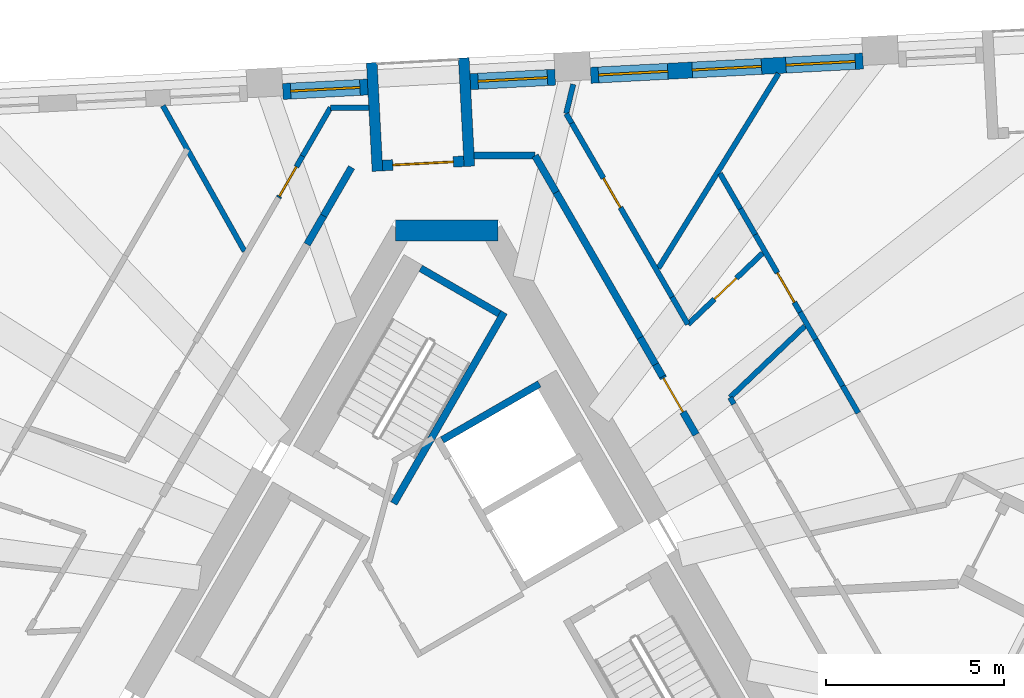
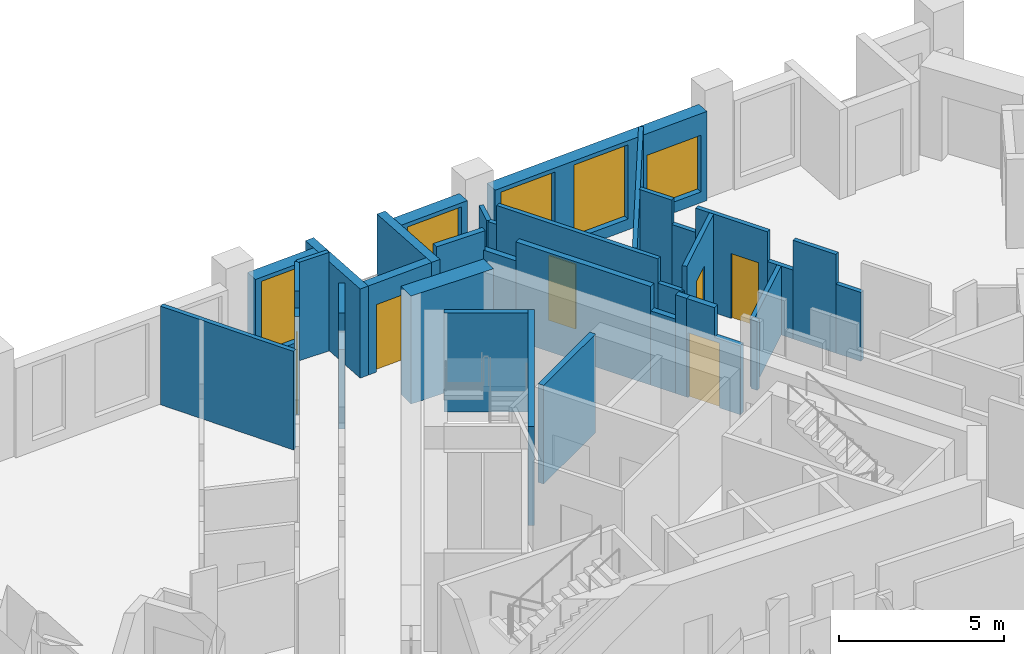
# One storey, part 7 of 12: 36 walls, 6 doors, 5 windows, 11 openings.
"""IFC4 building model written with IfcOpenShell, lengths in metres."""

from ifc_helpers import new_model, si_unit, direction, frame, frame_2d, origin, place, context, subcontext, project, spatial, polyline, rectangle, outline, extrude, material, layer, layer_set, type_object, element, fill, save


model = new_model("IFC4")

# Units and contexts
model_context = context("Model", 3, precision=1e-05, world=origin(), true_north=direction((0.0, 1.0)))
body_context = subcontext(model_context, "Body", "Model", "MODEL_VIEW")
ifc_project = project(units=[si_unit("LENGTHUNIT", "METRE"), si_unit("AREAUNIT", "SQUARE_METRE"), si_unit("VOLUMEUNIT", "CUBIC_METRE"), si_unit("PLANEANGLEUNIT", "RADIAN"), si_unit("MASSUNIT", "GRAM", prefix="KILO")], contexts=[model_context])

# Site, building, storey
site_placement = place(None, origin())
site = spatial("IfcSite", under=ifc_project, at=site_placement, CompositionType="ELEMENT")
building_placement = place(site_placement, origin())
building = spatial("IfcBuilding", under=site, at=building_placement, Name="Tramontana Tower", CompositionType="ELEMENT")
storey_placement = place(building_placement, frame((0.0, 0.0, 298.39990234375)))
storey = spatial("IfcBuildingStorey", under=building, at=storey_placement, Name="L70", CompositionType="ELEMENT", Elevation=298.39990234375)

# Walls
ifc_material_1 = material(Name="Concrete 70 MPa", Category="concrete")
ifc_layer_1 = layer(ifc_material_1, 0.60009765625)
ifc_layer_set_1 = layer_set([ifc_layer_1], Name="Core wall 600 70 MPa")
wall_type_1 = type_object("IfcWallType", Name="Core wall 600 70 MPa", PredefinedType="SHEAR", material=ifc_layer_set_1)
wall_1_placement = place(storey_placement, frame((1.443359375, 10.699951171875, 0.0), z_axis=(0.0, 0.0, 1.0), x_axis=(-1.0, 0.0, 0.0)))
element("IfcWall", 1, at=wall_1_placement, inside=storey, type_object=wall_type_1, Name="Core wall C0 L70", PredefinedType="SHEAR", context=body_context, shape_type="SweptSolid", body=[
    extrude(rectangle(XDim=2.88671875, YDim=0.60009765625, at=frame_2d((1.443359375, 0.0))), origin(), (0.0, 0.0, 1.0), 4.0),
])
ifc_material_2 = material(Name="Blockwork", Category="masonry")
ifc_layer_2 = layer(ifc_material_2, 0.199951171875)
ifc_layer_set_2 = layer_set([ifc_layer_2], Name="ENTRY WALL 200")
wall_type_2 = type_object("IfcWallType", Name="ENTRY WALL 200", PredefinedType="SOLIDWALL", material=ifc_layer_set_2)
wall_2_placement = place(storey_placement, frame((-3.92041015625, 10.309814453125, 0.0), z_axis=(0.0, 0.0, 1.0), x_axis=(0.500102178127, 0.865966403178, 0.0)))
element("IfcWall", 2, at=wall_2_placement, inside=storey, type_object=wall_type_2, Name="Wall v72-ew3-10", PredefinedType="SOLIDWALL", context=body_context, shape_type="SweptSolid", body=[
    extrude(rectangle(XDim=0.927490234375, YDim=0.199951171875, at=frame_2d((0.4638671875, 0.0))), origin(), (0.0, 0.0, 1.0), 2.9501953125),
])
wall_3_placement = place(storey_placement, frame((-3.45654296875, 11.113037109375, 0.0), z_axis=(0.0, 0.0, 1.0), x_axis=(0.500036592568, 0.866004276025, 0.0)))
element("IfcWall", 3, at=wall_3_placement, inside=storey, type_object=wall_type_2, Name="Wall v72-ew3-11", PredefinedType="SOLIDWALL", context=body_context, shape_type="SweptSolid", body=[
    extrude(rectangle(XDim=1.56982421875, YDim=0.199951171875, at=frame_2d((0.784912109375, 0.0))), origin(), (0.0, 0.0, 1.0), 3.650146484375),
])
wall_4_placement = place(storey_placement, frame((0.774658203125, 12.800048828125, 0.0), z_axis=(0.0, 0.0, 1.0), x_axis=(1.0, 0.0, 0.0)))
element("IfcWall", 4, at=wall_4_placement, inside=storey, type_object=wall_type_2, Name="Wall v72-ew4", PredefinedType="SOLIDWALL", context=body_context, shape_type="SweptSolid", body=[
    extrude(rectangle(XDim=1.7080078125, YDim=0.199951171875, at=frame_2d((0.85400390625, 0.0))), origin(), (0.0, 0.0, 1.0), 3.650146484375),
])
wall_5_placement = place(storey_placement, frame((2.482666015625, 12.800048828125, 0.0), z_axis=(0.0, 0.0, 1.0), x_axis=(0.499983247966, -0.86603507536, 0.0)))
element("IfcWall", 5, at=wall_5_placement, inside=storey, type_object=wall_type_2, Name="Wall v72-ew5-0", PredefinedType="SOLIDWALL", context=body_context, shape_type="SweptSolid", body=[
    extrude(rectangle(XDim=1.1884765625, YDim=0.199951171875, at=frame_2d((0.59423828125, 0.0))), origin(), (0.0, 0.0, 1.0), 2.9501953125),
])
wall_6_placement = place(storey_placement, frame((3.076904296875, 11.770751953125, 0.0), z_axis=(0.0, 0.0, 1.0), x_axis=(0.500007683529, -0.866020967652, 0.0)))
element("IfcWall", 6, at=wall_6_placement, inside=storey, type_object=wall_type_2, Name="Wall v72-ew5-1", PredefinedType="SOLIDWALL", context=body_context, shape_type="SweptSolid", body=[
    extrude(rectangle(XDim=4.71728515625, YDim=0.199951171875, at=frame_2d((2.358642578125, 0.0))), origin(), (0.0, 0.0, 1.0), 3.650146484375),
])
wall_7_placement = place(storey_placement, frame((5.435546875, 7.685546875, 0.0), z_axis=(0.0, 0.0, 1.0), x_axis=(0.500056482814, -0.86599279096, 0.0)))
element("IfcWall", 7, at=wall_7_placement, inside=storey, type_object=wall_type_2, Name="Wall v72-ew5-2", PredefinedType="SOLIDWALL", context=body_context, shape_type="SweptSolid", body=[
    extrude(rectangle(XDim=0.86474609375, YDim=0.199951171875, at=frame_2d((0.432373046875, 0.0))), origin(), (0.0, 0.0, 1.0), 2.75),
])
wall_8_placement = place(storey_placement, frame((5.867919921875, 6.936767578125, 0.0), z_axis=(0.0, 0.0, 1.0), x_axis=(0.499526442893, -0.866298639529, 0.0)))
element("IfcWall", 8, at=wall_8_placement, inside=storey, type_object=wall_type_2, Name="Wall v72-ew5-3", PredefinedType="SOLIDWALL", context=body_context, shape_type="SweptSolid", body=[
    extrude(rectangle(XDim=0.3955078125, YDim=0.199951171875, at=frame_2d((0.19775390625, 0.0))), origin(), (0.0, 0.0, 1.0), 3.650146484375),
])

# Wall, opening, door
wall_9_placement = place(storey_placement, frame((6.0654296875, 6.59423828125, 0.0), z_axis=(0.0, 0.0, 1.0), x_axis=(0.499988092049, -0.866032278734, 0.0)))
wall_9 = element("IfcWall", 9, at=wall_9_placement, inside=storey, type_object=wall_type_2, Name="Wall v72-ew5-4", PredefinedType="SOLIDWALL", context=body_context, shape_type="SweptSolid", body=[
    extrude(outline(polyline([(0.0, 0.0), (1.8828125, 0.0), (1.8828125, 2.550048828125), (0.973388671875, 2.550048828125), (0.973388671875, 3.650146484375), (0.0, 3.650146484375), (0.0, 0.0)])), frame((0.0, 0.10009765625, 0.0), z_axis=(0.0, -1.0, 0.0), x_axis=(1.0, 0.0, 0.0)), (0.0, 0.0, 1.0), 0.199951171875),
])
opening_1_placement = place(wall_9_placement, frame((0.050048828125, 0.0, 0.0)))
opening_1 = element("IfcOpeningElement", 10, at=opening_1_placement, cuts=wall_9, Name="Opening B7C-19", PredefinedType="OPENING", context=body_context, shape_type="SweptSolid", body=[
    extrude(rectangle(XDim=1.10009765625, YDim=2.39990234375, at=frame_2d((0.550048828125, 1.199951171875))), frame((0.0, 0.10986328125, 0.0), z_axis=(0.0, -1.0, 0.0), x_axis=(1.0, 0.0, 0.0)), (0.0, 0.0, 1.0), 0.219970703125),
])
ifc_material_3 = material(Name="Painted timber", Category="wood")
door_type_1 = type_object("IfcDoorType", Name="DOOR ENTRY 1100", OperationType="SINGLE_SWING_LEFT", PredefinedType="DOOR", material=ifc_material_3)
door_1_placement = place(opening_1_placement, origin())
door_1 = element("IfcDoor", 11, at=door_1_placement, inside=storey, type_object=door_type_1, Name="Door B7C-19", OperationType="SINGLE_SWING_LEFT", OverallHeight=2.39990234375, OverallWidth=1.10009765625, PredefinedType="DOOR", context=body_context, shape_type="SweptSolid", body=[
    extrude(rectangle(XDim=1.10009765625, YDim=2.39990234375, at=frame_2d((0.550048828125, 1.199951171875))), frame((0.0, 0.02490234375, 0.0), z_axis=(0.0, -1.0, 0.0), x_axis=(1.0, 0.0, 0.0)), (0.0, 0.0, 1.0), 0.050048828125),
])
fill(opening_1, door_1)

# Wall, openings, windows
ifc_material_4 = material(Name="Precast concrete 60 MPa", Category="concrete")
ifc_layer_3 = layer(ifc_material_4, 0.449951171875)
ifc_layer_set_3 = layer_set([ifc_layer_3], Name="Precast concrete 60 MPa, 450 mm")
wall_type_3 = type_object("IfcWallType", Name="EW1 Stone-faced precast wall 450", PredefinedType="SOLIDWALL", material=ifc_layer_set_3)
wall_10_placement = place(storey_placement, frame((11.697265625, 15.45849609375, 0.0), z_axis=(0.0, 0.0, 1.0), x_axis=(-0.998628023429, -0.052364786088, 0.0)))
wall_10 = element("IfcWall", 12, at=wall_10_placement, inside=storey, type_object=wall_type_3, Name="External wall L70 face 2 bay 2", PredefinedType="SOLIDWALL", context=body_context, shape_type="SweptSolid", body=[
    extrude(rectangle(XDim=7.66015625, YDim=0.449951171875, at=frame_2d((3.830078125, 0.0))), origin(), (0.0, 0.0, 1.0), 3.300048828125),
])
opening_2_placement = place(wall_10_placement, frame((0.21826171875, 0.0, 0.39990234375)))
opening_2 = element("IfcOpeningElement", 13, at=opening_2_placement, cuts=wall_10, Name="Opening M3L", PredefinedType="OPENING", context=body_context, shape_type="SweptSolid", body=[
    extrude(rectangle(XDim=1.949951171875, YDim=2.10009765625, at=frame_2d((0.97509765625, 1.050048828125))), frame((0.0, 0.23486328125, 0.0), z_axis=(0.0, -1.0, 0.0), x_axis=(1.0, 0.0, 0.0)), (0.0, 0.0, 1.0), 0.469970703125),
])
opening_3_placement = place(wall_10_placement, frame((2.855224609375, 0.0, 0.39990234375)))
opening_3 = element("IfcOpeningElement", 14, at=opening_3_placement, cuts=wall_10, Name="Opening M3", PredefinedType="OPENING", context=body_context, shape_type="SweptSolid", body=[
    extrude(rectangle(XDim=1.949951171875, YDim=2.75, at=frame_2d((0.97509765625, 1.375))), frame((0.0, 0.23486328125, 0.0), z_axis=(0.0, -1.0, 0.0), x_axis=(1.0, 0.0, 0.0)), (0.0, 0.0, 1.0), 0.469970703125),
])
opening_4_placement = place(wall_10_placement, frame((5.491943359375, 0.0, 0.39990234375)))
opening_4 = element("IfcOpeningElement", 15, at=opening_4_placement, cuts=wall_10, Name="Opening M3", PredefinedType="OPENING", context=body_context, shape_type="SweptSolid", body=[
    extrude(rectangle(XDim=1.949951171875, YDim=2.75, at=frame_2d((0.97509765625, 1.375))), frame((0.0, 0.23486328125, 0.0), z_axis=(0.0, -1.0, 0.0), x_axis=(1.0, 0.0, 0.0)), (0.0, 0.0, 1.0), 0.469970703125),
])
ifc_material_5 = material(Name="Aluminum frame, double glazing unit", Category="aluminium")
window_type_1 = type_object("IfcWindowType", Name="M3 Window 1.95 x 2.75", PartitioningType="SINGLE_PANEL", PredefinedType="WINDOW", material=ifc_material_5)
window_1_placement = place(opening_3_placement, origin())
window_1 = element("IfcWindow", 16, at=window_1_placement, inside=storey, type_object=window_type_1, Name="Window M3 L70 face 2 module 5", OverallHeight=2.75, OverallWidth=1.949951171875, PartitioningType="SINGLE_PANEL", PredefinedType="WINDOW", context=body_context, shape_type="SweptSolid", body=[
    extrude(rectangle(XDim=1.949951171875, YDim=2.75, at=frame_2d((0.97509765625, 1.375))), frame((0.0, 0.030029296875, 0.0), z_axis=(0.0, -1.0, 0.0), x_axis=(1.0, 0.0, 0.0)), (0.0, 0.0, 1.0), 0.06005859375),
])
fill(opening_3, window_1)
window_2_placement = place(opening_4_placement, origin())
window_2 = element("IfcWindow", 17, at=window_2_placement, inside=storey, type_object=window_type_1, Name="Window M3 L70 face 2 module 6", OverallHeight=2.75, OverallWidth=1.949951171875, PartitioningType="SINGLE_PANEL", PredefinedType="WINDOW", context=body_context, shape_type="SweptSolid", body=[
    extrude(rectangle(XDim=1.949951171875, YDim=2.75, at=frame_2d((0.97509765625, 1.375))), frame((0.0, 0.030029296875, 0.0), z_axis=(0.0, -1.0, 0.0), x_axis=(1.0, 0.0, 0.0)), (0.0, 0.0, 1.0), 0.06005859375),
])
fill(opening_4, window_2)
ifc_material_6 = material(Name="Aluminum frame, double glazing unit", Category="aluminium")
window_type_2 = type_object("IfcWindowType", Name="M3L Window 1.95 x 2.1", PartitioningType="SINGLE_PANEL", PredefinedType="WINDOW", material=ifc_material_6)
window_3_placement = place(opening_2_placement, origin())
window_3 = element("IfcWindow", 18, at=window_3_placement, inside=storey, type_object=window_type_2, Name="Window M3L L70 face 2 module 4", OverallHeight=2.10009765625, OverallWidth=1.949951171875, PartitioningType="SINGLE_PANEL", PredefinedType="WINDOW", context=body_context, shape_type="SweptSolid", body=[
    extrude(rectangle(XDim=1.949951171875, YDim=2.10009765625, at=frame_2d((0.97509765625, 1.050048828125))), frame((0.0, 0.030029296875, 0.0), z_axis=(0.0, -1.0, 0.0), x_axis=(1.0, 0.0, 0.0)), (0.0, 0.0, 1.0), 0.06005859375),
])
fill(opening_2, window_3)

# Wall, opening, window
wall_11_placement = place(storey_placement, frame((3.049072265625, 15.005126953125, 0.0), z_axis=(0.0, 0.0, 1.0), x_axis=(-0.998627701279, -0.052370929331, 0.0)))
wall_11 = element("IfcWall", 19, at=wall_11_placement, inside=storey, type_object=wall_type_3, Name="External wall L70 face 2 bay 3", PredefinedType="SOLIDWALL", context=body_context, shape_type="SweptSolid", body=[
    extrude(rectangle(XDim=2.38671875, YDim=0.449951171875, at=frame_2d((1.193359375, 0.0))), origin(), (0.0, 0.0, 1.0), 3.300048828125),
])
opening_5_placement = place(wall_11_placement, frame((0.21826171875, 0.0, 0.39990234375)))
opening_5 = element("IfcOpeningElement", 20, at=opening_5_placement, cuts=wall_11, Name="Opening M3", PredefinedType="OPENING", context=body_context, shape_type="SweptSolid", body=[
    extrude(rectangle(XDim=1.949951171875, YDim=2.75, at=frame_2d((0.97509765625, 1.375))), frame((0.0, 0.23486328125, 0.0), z_axis=(0.0, -1.0, 0.0), x_axis=(1.0, 0.0, 0.0)), (0.0, 0.0, 1.0), 0.469970703125),
])
window_4_placement = place(opening_5_placement, origin())
window_4 = element("IfcWindow", 21, at=window_4_placement, inside=storey, type_object=window_type_1, Name="Window M3 L70 face 2 module 7", OverallHeight=2.75, OverallWidth=1.949951171875, PartitioningType="SINGLE_PANEL", PredefinedType="WINDOW", context=body_context, shape_type="SweptSolid", body=[
    extrude(rectangle(XDim=1.949951171875, YDim=2.75, at=frame_2d((0.97509765625, 1.375))), frame((0.0, 0.030029296875, 0.0), z_axis=(0.0, -1.0, 0.0), x_axis=(1.0, 0.0, 0.0)), (0.0, 0.0, 1.0), 0.06005859375),
])
fill(opening_5, window_4)

wall_12_placement = place(storey_placement, frame((-2.21728515625, 14.729248046875, 0.0), z_axis=(0.0, 0.0, 1.0), x_axis=(-0.998627701279, -0.052370929331, 0.0)))
wall_12 = element("IfcWall", 22, at=wall_12_placement, inside=storey, type_object=wall_type_3, Name="External wall L70 face 2 bay 3", PredefinedType="SOLIDWALL", context=body_context, shape_type="SweptSolid", body=[
    extrude(rectangle(XDim=2.38671875, YDim=0.449951171875, at=frame_2d((1.193359375, 0.0))), origin(), (0.0, 0.0, 1.0), 3.300048828125),
])
opening_6_placement = place(wall_12_placement, frame((0.21826171875, 0.0, 0.39990234375)))
opening_6 = element("IfcOpeningElement", 23, at=opening_6_placement, cuts=wall_12, Name="Opening M3", PredefinedType="OPENING", context=body_context, shape_type="SweptSolid", body=[
    extrude(rectangle(XDim=1.949951171875, YDim=2.75, at=frame_2d((0.97509765625, 1.375))), frame((0.0, 0.23486328125, 0.0), z_axis=(0.0, -1.0, 0.0), x_axis=(1.0, 0.0, 0.0)), (0.0, 0.0, 1.0), 0.469970703125),
])
window_5_placement = place(opening_6_placement, origin())
window_5 = element("IfcWindow", 24, at=window_5_placement, inside=storey, type_object=window_type_1, Name="Window M3 L70 face 2 module 9", OverallHeight=2.75, OverallWidth=1.949951171875, PartitioningType="SINGLE_PANEL", PredefinedType="WINDOW", context=body_context, shape_type="SweptSolid", body=[
    extrude(rectangle(XDim=1.949951171875, YDim=2.75, at=frame_2d((0.97509765625, 1.375))), frame((0.0, 0.030029296875, 0.0), z_axis=(0.0, -1.0, 0.0), x_axis=(1.0, 0.0, 0.0)), (0.0, 0.0, 1.0), 0.06005859375),
])
fill(opening_6, window_5)

# Wall, opening, door
ifc_material_7 = material(Name="Precast concrete 60 MPa", Category="concrete")
ifc_layer_4 = layer(ifc_material_7, 0.300048828125)
ifc_layer_set_4 = layer_set([ifc_layer_4], Name="LW1 Stone-faced loggia wall 300")
wall_type_4 = type_object("IfcWallType", Name="LW1 Stone-faced loggia wall 300", PredefinedType="SOLIDWALL", material=ifc_layer_set_4)
wall_13_placement = place(storey_placement, frame((0.482421875, 12.642578125, 0.0), z_axis=(0.0, 0.0, 1.0), x_axis=(-0.998630775221, -0.052312281362, 0.0)))
wall_13 = element("IfcWall", 25, at=wall_13_placement, inside=storey, type_object=wall_type_4, Name="Loggia wall L70 G7S2.7", PredefinedType="SOLIDWALL", context=body_context, shape_type="SweptSolid", body=[
    extrude(rectangle(XDim=2.286865234375, YDim=0.300048828125, at=frame_2d((1.1435546875, 0.0))), origin(), (0.0, 0.0, 1.0), 3.300048828125),
])
opening_7_placement = place(wall_13_placement, frame((0.29345703125, 0.0, 0.0)))
opening_7 = element("IfcOpeningElement", 26, at=opening_7_placement, cuts=wall_13, Name="Opening BD-7S2-07", PredefinedType="OPENING", context=body_context, shape_type="SweptSolid", body=[
    extrude(rectangle(XDim=1.699951171875, YDim=2.5, at=frame_2d((0.85009765625, 1.25))), frame((0.0, 0.159912109375, 0.0), z_axis=(0.0, -1.0, 0.0), x_axis=(1.0, 0.0, 0.0)), (0.0, 0.0, 1.0), 0.320068359375),
])
ifc_material_8 = material(Name="Aluminum frame, double glazing unit", Category="aluminium")
door_type_2 = type_object("IfcDoorType", Name="BD3 Sliding door 1.7 x 2.5", OperationType="SLIDING_TO_LEFT", PredefinedType="DOOR", material=ifc_material_8)
door_2_placement = place(opening_7_placement, origin())
door_2 = element("IfcDoor", 27, at=door_2_placement, inside=storey, type_object=door_type_2, Name="Loggia door L70 G7S2.7", OperationType="SLIDING_TO_LEFT", OverallHeight=2.5, OverallWidth=1.699951171875, PredefinedType="DOOR", context=body_context, shape_type="SweptSolid", body=[
    extrude(rectangle(XDim=1.699951171875, YDim=2.5, at=frame_2d((0.85009765625, 1.25))), frame((0.0, 0.02490234375, 0.0), z_axis=(0.0, -1.0, 0.0), x_axis=(1.0, 0.0, 0.0)), (0.0, 0.0, 1.0), 0.050048828125),
])
fill(opening_7, door_2)

# Walls
wall_14_placement = place(storey_placement, frame((0.48046875, 15.54638671875, 0.0), z_axis=(0.0, 0.0, 1.0), x_axis=(0.052352956549, -0.998628643661, 0.0)))
element("IfcWall", 28, at=wall_14_placement, inside=storey, type_object=wall_type_4, Name="Loggia return L70 G7S2.7a", PredefinedType="SOLIDWALL", context=body_context, shape_type="SweptSolid", body=[
    extrude(rectangle(XDim=3.0498046875, YDim=0.300048828125, at=frame_2d((1.52490234375, 0.0))), origin(), (0.0, 0.0, 1.0), 3.300048828125),
])
wall_15_placement = place(storey_placement, frame((-2.102783203125, 15.4111328125, 0.0), z_axis=(0.0, 0.0, 1.0), x_axis=(0.052348771756, -0.99862886304, 0.0)))
element("IfcWall", 29, at=wall_15_placement, inside=storey, type_object=wall_type_4, Name="Loggia return L70 G7S2.7b", PredefinedType="SOLIDWALL", context=body_context, shape_type="SweptSolid", body=[
    extrude(rectangle(XDim=3.050048828125, YDim=0.300048828125, at=frame_2d((1.52490234375, 0.0))), origin(), (0.0, 0.0, 1.0), 3.300048828125),
])

# Wall, opening, door
ifc_material_9 = material(Name="Gypsum board partition")
ifc_layer_5 = layer(ifc_material_9, 0.14990234375)
ifc_layer_set_5 = layer_set([ifc_layer_5], Name="PARTITION 150")
wall_type_5 = type_object("IfcWallType", Name="PARTITION 150", PredefinedType="PARTITIONING", material=ifc_layer_set_5)
wall_16_placement = place(storey_placement, frame((-4.7216796875, 11.62158203125, 0.0), z_axis=(0.0, 0.0, 1.0), x_axis=(0.499973075538, 0.866040948072, 0.0)))
wall_16 = element("IfcWall", 30, at=wall_16_placement, inside=storey, type_object=wall_type_5, Name="Wall v72-pw10-5", PredefinedType="PARTITIONING", context=body_context, shape_type="SweptSolid", body=[
    extrude(outline(polyline([(0.0, 0.0), (1.34912109375, 0.0), (1.34912109375, 2.9501953125), (0.45458984375, 2.9501953125), (0.45458984375, 3.650146484375), (0.0, 3.650146484375), (0.0, 0.0)])), frame((0.0, 0.074951171875, 0.0), z_axis=(0.0, -1.0, 0.0), x_axis=(1.0, 0.0, 0.0)), (0.0, 0.0, 1.0), 0.14990234375),
])
opening_8_placement = place(wall_16_placement, frame((0.050048828125, 0.0, 0.0)))
opening_8 = element("IfcOpeningElement", 31, at=opening_8_placement, cuts=wall_16, Name="Opening B7C-04", PredefinedType="OPENING", context=body_context, shape_type="SweptSolid", body=[
    extrude(rectangle(XDim=0.949951171875, YDim=2.39990234375, at=frame_2d((0.47509765625, 1.199951171875))), frame((0.0, 0.0849609375, 0.0), z_axis=(0.0, -1.0, 0.0), x_axis=(1.0, 0.0, 0.0)), (0.0, 0.0, 1.0), 0.169921875),
])
ifc_material_10 = material(Name="Painted timber", Category="wood")
door_type_3 = type_object("IfcDoorType", Name="DOOR ROOM 950", OperationType="SINGLE_SWING_LEFT", PredefinedType="DOOR", material=ifc_material_10)
door_3_placement = place(opening_8_placement, origin())
door_3 = element("IfcDoor", 32, at=door_3_placement, inside=storey, type_object=door_type_3, Name="Door B7C-04", OperationType="SINGLE_SWING_RIGHT", OverallHeight=2.39990234375, OverallWidth=0.949951171875, PredefinedType="DOOR", context=body_context, shape_type="SweptSolid", body=[
    extrude(rectangle(XDim=0.949951171875, YDim=2.39990234375, at=frame_2d((0.47509765625, 1.199951171875))), frame((0.0, 0.02490234375, 0.0), z_axis=(0.0, -1.0, 0.0), x_axis=(1.0, 0.0, 0.0)), (0.0, 0.0, 1.0), 0.050048828125),
])
fill(opening_8, door_3)

# Walls
wall_17_placement = place(storey_placement, frame((-4.047119140625, 12.7900390625, 0.0), z_axis=(0.0, 0.0, 1.0), x_axis=(0.500018540756, 0.866014699009, 0.0)))
element("IfcWall", 33, at=wall_17_placement, inside=storey, type_object=wall_type_5, Name="Wall v72-pw10-6", PredefinedType="PARTITIONING", context=body_context, shape_type="SweptSolid", body=[
    extrude(rectangle(XDim=1.5703125, YDim=0.14990234375, at=frame_2d((0.78515625, 0.0))), origin(), (0.0, 0.0, 1.0), 3.650146484375),
])
wall_18_placement = place(storey_placement, frame((-7.970947265625, 14.2021484375, 0.0), z_axis=(0.0, 0.0, 1.0), x_axis=(0.489407559615, -0.87205518208, 0.0)))
element("IfcWall", 34, at=wall_18_placement, inside=storey, type_object=wall_type_5, Name="Wall v72-pw12", PredefinedType="PARTITIONING", context=body_context, shape_type="SweptSolid", body=[
    extrude(rectangle(XDim=4.685791015625, YDim=0.14990234375, at=frame_2d((2.3427734375, 0.0))), origin(), (0.0, 0.0, 1.0), 3.650146484375),
])
wall_19_placement = place(storey_placement, frame((-3.261962890625, 14.14990234375, 0.0), z_axis=(0.0, 0.0, 1.0), x_axis=(1.0, 0.0, 0.0)))
element("IfcWall", 35, at=wall_19_placement, inside=storey, type_object=wall_type_5, Name="Wall v72-pw13", PredefinedType="PARTITIONING", context=body_context, shape_type="SweptSolid", body=[
    extrude(rectangle(XDim=1.074951171875, YDim=0.14990234375, at=frame_2d((0.53759765625, 0.0))), origin(), (0.0, 0.0, 1.0), 3.650146484375),
])
wall_20_placement = place(storey_placement, frame((3.361083984375, 13.978515625, 0.0), z_axis=(0.0, 0.0, 1.0), x_axis=(0.499768824934, -0.866158831638, 0.0)))
element("IfcWall", 36, at=wall_20_placement, inside=storey, type_object=wall_type_5, Name="Wall v72-pw17-0", PredefinedType="PARTITIONING", context=body_context, shape_type="SweptSolid", body=[
    extrude(rectangle(XDim=0.303955078125, YDim=0.14990234375, at=frame_2d((0.15185546875, 0.0))), origin(), (0.0, 0.0, 1.0), 2.9501953125),
])

# Wall, opening, door
wall_21_placement = place(storey_placement, frame((3.512939453125, 13.71533203125, 0.0), z_axis=(0.0, 0.0, 1.0), x_axis=(0.500019542665, -0.866014120528, 0.0)))
wall_21 = element("IfcWall", 37, at=wall_21_placement, inside=storey, type_object=wall_type_5, Name="Wall v72-pw17-1", PredefinedType="PARTITIONING", context=body_context, shape_type="SweptSolid", body=[
    extrude(rectangle(XDim=5.643310546875, YDim=0.14990234375, at=frame_2d((2.82177734375, 0.0))), origin(), (0.0, 0.0, 1.0), 3.650146484375),
])
opening_9_placement = place(wall_21_placement, frame((1.7880859375, 0.0, 0.0)))
opening_9 = element("IfcOpeningElement", 38, at=opening_9_placement, cuts=wall_21, Name="Opening B7C-16", PredefinedType="OPENING", context=body_context, shape_type="SweptSolid", body=[
    extrude(rectangle(XDim=0.949951171875, YDim=2.39990234375, at=frame_2d((0.47509765625, 1.199951171875))), frame((0.0, 0.0849609375, 0.0), z_axis=(0.0, -1.0, 0.0), x_axis=(1.0, 0.0, 0.0)), (0.0, 0.0, 1.0), 0.169921875),
])
door_4_placement = place(opening_9_placement, origin())
door_4 = element("IfcDoor", 39, at=door_4_placement, inside=storey, type_object=door_type_3, Name="Door B7C-16", OperationType="SINGLE_SWING_RIGHT", OverallHeight=2.39990234375, OverallWidth=0.949951171875, PredefinedType="DOOR", context=body_context, shape_type="SweptSolid", body=[
    extrude(rectangle(XDim=0.949951171875, YDim=2.39990234375, at=frame_2d((0.47509765625, 1.199951171875))), frame((0.0, 0.02490234375, 0.0), z_axis=(0.0, -1.0, 0.0), x_axis=(1.0, 0.0, 0.0)), (0.0, 0.0, 1.0), 0.050048828125),
])
fill(opening_9, door_4)

# Walls
wall_22_placement = place(storey_placement, frame((6.334716796875, 8.828125, 0.0), z_axis=(0.0, 0.0, 1.0), x_axis=(0.500033502416, -0.866006060292, 0.0)))
element("IfcWall", 40, at=wall_22_placement, inside=storey, type_object=wall_type_5, Name="Wall v72-pw17-2", PredefinedType="PARTITIONING", context=body_context, shape_type="SweptSolid", body=[
    extrude(rectangle(XDim=0.88330078125, YDim=0.14990234375, at=frame_2d((0.441650390625, 0.0))), origin(), (0.0, 0.0, 1.0), 2.75),
])
wall_23_placement = place(storey_placement, frame((3.556884765625, 14.806396484375, 0.0), z_axis=(0.0, 0.0, 1.0), x_axis=(-0.233841855751, -0.972274645612, 0.0)))
element("IfcWall", 41, at=wall_23_placement, inside=storey, type_object=wall_type_5, Name="Wall v72-pw18-0", PredefinedType="PARTITIONING", context=body_context, shape_type="SweptSolid", body=[
    extrude(rectangle(XDim=0.8466796875, YDim=0.14990234375, at=frame_2d((0.42333984375, 0.0))), origin(), (0.0, 0.0, 1.0), 2.9501953125),
])
wall_24_placement = place(storey_placement, frame((5.951416015625, 9.641845703125, 0.0), z_axis=(0.0, 0.0, 1.0), x_axis=(0.525235570914, 0.850956870263, 0.0)))
element("IfcWall", 42, at=wall_24_placement, inside=storey, type_object=wall_type_5, Name="Wall v72-pw23", PredefinedType="PARTITIONING", context=body_context, shape_type="SweptSolid", body=[
    extrude(rectangle(XDim=6.42431640625, YDim=0.14990234375, at=frame_2d((3.212158203125, 0.0))), origin(), (0.0, 0.0, 1.0), 3.650146484375),
])

# Wall, opening, door
wall_25_placement = place(storey_placement, frame((6.782470703125, 8.062255859375, 0.0), z_axis=(0.0, 0.0, 1.0), x_axis=(0.723403289855, 0.690425723903, 0.0)))
wall_25 = element("IfcWall", 43, at=wall_25_placement, inside=storey, type_object=wall_type_5, Name="Wall v72-pw25", PredefinedType="PARTITIONING", context=body_context, shape_type="SweptSolid", body=[
    extrude(rectangle(XDim=2.902099609375, YDim=0.14990234375, at=frame_2d((1.451171875, 0.0))), origin(), (0.0, 0.0, 1.0), 3.650146484375),
])
opening_10_placement = place(wall_25_placement, frame((1.026123046875, 0.0, 0.0)))
opening_10 = element("IfcOpeningElement", 44, at=opening_10_placement, cuts=wall_25, Name="Opening B7C-13", PredefinedType="OPENING", context=body_context, shape_type="SweptSolid", body=[
    extrude(rectangle(XDim=0.85009765625, YDim=2.39990234375, at=frame_2d((0.425048828125, 1.199951171875))), frame((0.0, 0.0849609375, 0.0), z_axis=(0.0, -1.0, 0.0), x_axis=(1.0, 0.0, 0.0)), (0.0, 0.0, 1.0), 0.169921875),
])
ifc_material_11 = material(Name="Painted timber", Category="wood")
door_type_4 = type_object("IfcDoorType", Name="DOOR BATH 850", OperationType="SINGLE_SWING_LEFT", PredefinedType="DOOR", material=ifc_material_11)
door_5_placement = place(opening_10_placement, origin())
door_5 = element("IfcDoor", 45, at=door_5_placement, inside=storey, type_object=door_type_4, Name="Door B7C-13", OperationType="SINGLE_SWING_LEFT", OverallHeight=2.39990234375, OverallWidth=0.85009765625, PredefinedType="DOOR", context=body_context, shape_type="SweptSolid", body=[
    extrude(rectangle(XDim=0.85009765625, YDim=2.39990234375, at=frame_2d((0.425048828125, 1.199951171875))), frame((0.0, 0.02490234375, 0.0), z_axis=(0.0, -1.0, 0.0), x_axis=(1.0, 0.0, 0.0)), (0.0, 0.0, 1.0), 0.050048828125),
])
fill(opening_10, door_5)

# Walls
wall_26_placement = place(storey_placement, frame((7.679443359375, 12.298828125, 0.0), z_axis=(0.0, 0.0, 1.0), x_axis=(0.499925626596, -0.866068339032, 0.0)))
element("IfcWall", 46, at=wall_26_placement, inside=storey, type_object=wall_type_5, Name="Wall v72-pw26-0", PredefinedType="PARTITIONING", context=body_context, shape_type="SweptSolid", body=[
    extrude(rectangle(XDim=1.144287109375, YDim=0.14990234375, at=frame_2d((0.572265625, 0.0))), origin(), (0.0, 0.0, 1.0), 3.650146484375),
])
wall_27_placement = place(storey_placement, frame((8.25146484375, 11.307861328125, 0.0), z_axis=(0.0, 0.0, 1.0), x_axis=(0.500151338474, -0.865938010843, 0.0)))
element("IfcWall", 47, at=wall_27_placement, inside=storey, type_object=wall_type_5, Name="Wall v72-pw26-1", PredefinedType="PARTITIONING", context=body_context, shape_type="SweptSolid", body=[
    extrude(rectangle(XDim=0.837646484375, YDim=0.14990234375, at=frame_2d((0.4189453125, 0.0))), origin(), (0.0, 0.0, 1.0), 2.75),
])

# Wall, opening, door
wall_28_placement = place(storey_placement, frame((8.67041015625, 10.58251953125, 0.0), z_axis=(0.0, 0.0, 1.0), x_axis=(0.499938053331, -0.866061165757, 0.0)))
wall_28 = element("IfcWall", 48, at=wall_28_placement, inside=storey, type_object=wall_type_5, Name="Wall v72-pw26-2", PredefinedType="PARTITIONING", context=body_context, shape_type="SweptSolid", body=[
    extrude(rectangle(XDim=2.515869140625, YDim=0.14990234375, at=frame_2d((1.2578125, 0.0))), origin(), (0.0, 0.0, 1.0), 3.650146484375),
])
opening_11_placement = place(wall_28_placement, frame((1.243896484375, 0.0, 0.0)))
opening_11 = element("IfcOpeningElement", 49, at=opening_11_placement, cuts=wall_28, Name="Opening B7C-14", PredefinedType="OPENING", context=body_context, shape_type="SweptSolid", body=[
    extrude(rectangle(XDim=0.949951171875, YDim=2.39990234375, at=frame_2d((0.47509765625, 1.199951171875))), frame((0.0, 0.0849609375, 0.0), z_axis=(0.0, -1.0, 0.0), x_axis=(1.0, 0.0, 0.0)), (0.0, 0.0, 1.0), 0.169921875),
])
door_6_placement = place(opening_11_placement, origin())
door_6 = element("IfcDoor", 50, at=door_6_placement, inside=storey, type_object=door_type_3, Name="Door B7C-14", OperationType="SINGLE_SWING_RIGHT", OverallHeight=2.39990234375, OverallWidth=0.949951171875, PredefinedType="DOOR", context=body_context, shape_type="SweptSolid", body=[
    extrude(rectangle(XDim=0.949951171875, YDim=2.39990234375, at=frame_2d((0.47509765625, 1.199951171875))), frame((0.0, 0.02490234375, 0.0), z_axis=(0.0, -1.0, 0.0), x_axis=(1.0, 0.0, 0.0)), (0.0, 0.0, 1.0), 0.050048828125),
])
fill(opening_11, door_6)

# Walls
wall_29_placement = place(storey_placement, frame((9.92822265625, 8.403564453125, 0.0), z_axis=(0.0, 0.0, 1.0), x_axis=(0.500176418896, -0.865923524325, 0.0)))
element("IfcWall", 51, at=wall_29_placement, inside=storey, type_object=wall_type_5, Name="Wall v72-pw26-3", PredefinedType="PARTITIONING", context=body_context, shape_type="SweptSolid", body=[
    extrude(rectangle(XDim=0.884521484375, YDim=0.14990234375, at=frame_2d((0.4423828125, 0.0))), origin(), (0.0, 0.0, 1.0), 2.550048828125),
])
wall_30_placement = place(storey_placement, frame((10.37060546875, 7.6376953125, 0.0), z_axis=(0.0, 0.0, 1.0), x_axis=(0.499983823482, -0.8660347431, 0.0)))
element("IfcWall", 52, at=wall_30_placement, inside=storey, type_object=wall_type_5, Name="Wall v72-pw26-4", PredefinedType="PARTITIONING", context=body_context, shape_type="SweptSolid", body=[
    extrude(rectangle(XDim=1.50927734375, YDim=0.14990234375, at=frame_2d((0.754638671875, 0.0))), origin(), (0.0, 0.0, 1.0), 3.650146484375),
])
wall_31_placement = place(storey_placement, frame((11.125244140625, 6.33056640625, 0.0), z_axis=(0.0, 0.0, 1.0), x_axis=(0.500036104519, -0.866004557827, 0.0)))
element("IfcWall", 53, at=wall_31_placement, inside=storey, type_object=wall_type_5, Name="Wall v72-pw26-5", PredefinedType="PARTITIONING", context=body_context, shape_type="SweptSolid", body=[
    extrude(rectangle(XDim=0.8759765625, YDim=0.14990234375, at=frame_2d((0.43798828125, 0.0))), origin(), (0.0, 0.0, 1.0), 2.550048828125),
])
wall_32_placement = place(storey_placement, frame((7.9638671875, 6.006103515625, 0.0), z_axis=(0.0, 0.0, 1.0), x_axis=(0.500182682664, -0.865919906206, 0.0)))
element("IfcWall", 54, at=wall_32_placement, inside=storey, type_object=wall_type_5, Name="Wall v72-pw27-0", PredefinedType="PARTITIONING", context=body_context, shape_type="SweptSolid", body=[
    extrude(rectangle(XDim=0.21435546875, YDim=0.14990234375, at=frame_2d((0.107177734375, 0.0))), origin(), (0.0, 0.0, 1.0), 2.550048828125),
])
wall_33_placement = place(storey_placement, frame((10.0654296875, 8.01611328125, 0.0), z_axis=(0.0, 0.0, 1.0), x_axis=(-0.723391805323, -0.690437756783, 0.0)))
element("IfcWall", 55, at=wall_33_placement, inside=storey, type_object=wall_type_5, Name="Wall v72-pw29-0", PredefinedType="PARTITIONING", context=body_context, shape_type="SweptSolid", body=[
    extrude(rectangle(XDim=2.904052734375, YDim=0.14990234375, at=frame_2d((1.4521484375, 0.0))), origin(), (0.0, 0.0, 1.0), 2.550048828125),
])
ifc_material_12 = material(Name="Concrete 70 MPa", Category="concrete")
ifc_layer_6 = layer(ifc_material_12, 0.199951171875)
ifc_layer_set_6 = layer_set([ifc_layer_6], Name="Concrete 70 MPa, 200 mm")
wall_type_6 = type_object("IfcWallType", Name="RC STAIR AND SHAFT WALL 200", PredefinedType="SOLIDWALL", material=ifc_layer_set_6)
wall_34_placement = place(storey_placement, frame((1.615234375, 8.3974609375, 0.0), z_axis=(0.0, 0.0, 1.0), x_axis=(-0.500009909098, -0.866019682689, 0.0)))
element("IfcWall", 56, at=wall_34_placement, inside=storey, type_object=wall_type_6, Name="Wall st1-front", PredefinedType="SOLIDWALL", context=body_context, shape_type="SweptSolid", body=[
    extrude(rectangle(XDim=6.199951171875, YDim=0.199951171875, at=frame_2d((3.10009765625, 0.0))), origin(), (0.0, 0.0, 1.0), 3.650146484375),
])
wall_35_placement = place(storey_placement, frame((1.478515625, 8.36083984375, 0.0), z_axis=(0.0, 0.0, 1.0), x_axis=(-0.865989465428, 0.500062241894, 0.0)))
element("IfcWall", 57, at=wall_35_placement, inside=storey, type_object=wall_type_6, Name="Wall st1-far", PredefinedType="SOLIDWALL", context=body_context, shape_type="SweptSolid", body=[
    extrude(rectangle(XDim=2.550048828125, YDim=0.199951171875, at=frame_2d((1.27490234375, 0.0))), origin(), (0.0, 0.0, 1.0), 3.650146484375),
])
wall_36_placement = place(storey_placement, frame((-0.123046875, 4.813232421875, 0.0), z_axis=(0.0, 0.0, 1.0), x_axis=(0.866016494683, 0.500015430699, 0.0)))
element("IfcWall", 58, at=wall_36_placement, inside=storey, type_object=wall_type_6, Name="Wall row2-side2", PredefinedType="SOLIDWALL", context=body_context, shape_type="SweptSolid", body=[
    extrude(rectangle(XDim=3.14990234375, YDim=0.199951171875, at=frame_2d((1.574951171875, 0.0))), origin(), (0.0, 0.0, 1.0), 3.650146484375),
])

save(model, "model.ifc")
